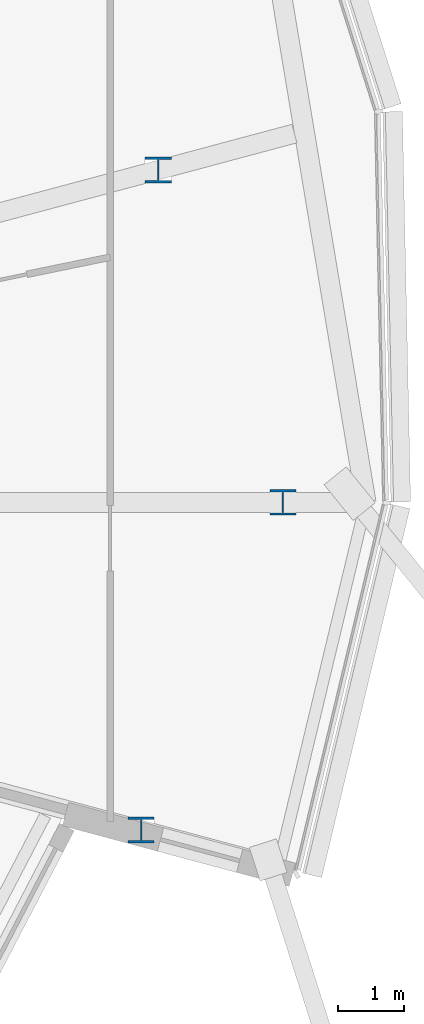
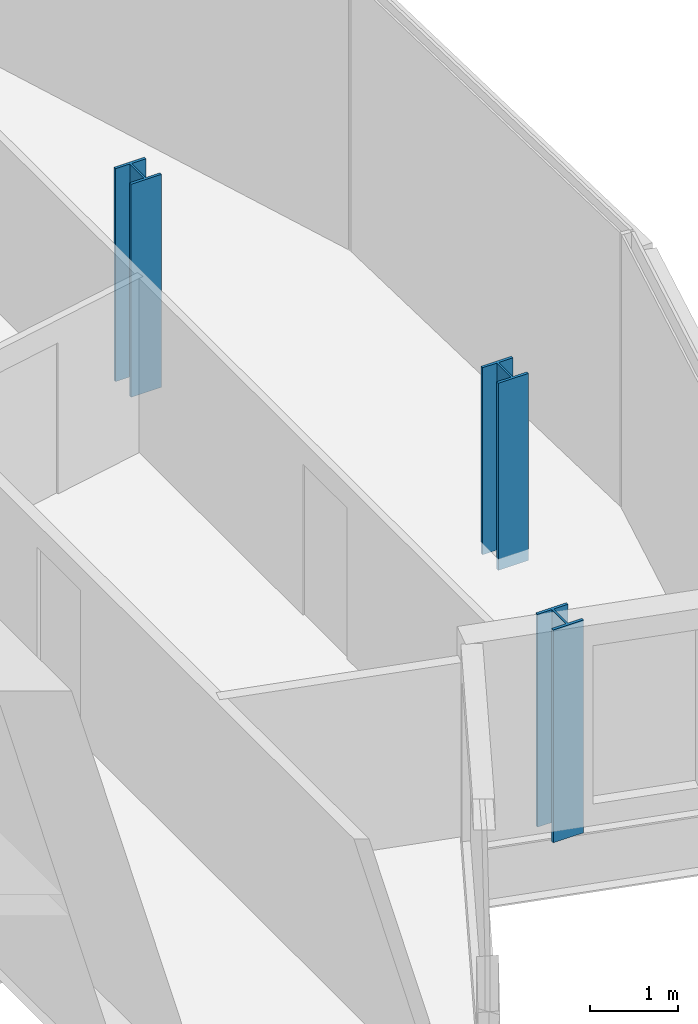
# One storey, part 2 of 40: 3 columns.
"""IFC4 building model written with IfcOpenShell, lengths in metres."""

from ifc_helpers import new_model, si_unit, direction, frame, origin, origin_2d, place, context, subcontext, project, spatial, i_section, extrude, material, material_profile, profile_set, type_object, element, save


model = new_model("IFC4")

# Units and contexts
model_context = context("Model", 3, precision=1e-05, world=origin(), true_north=direction((0.0, 1.0)))
body_context = subcontext(model_context, "Body", "Model", "MODEL_VIEW")
ifc_project = project(units=[si_unit("LENGTHUNIT", "METRE"), si_unit("AREAUNIT", "SQUARE_METRE"), si_unit("VOLUMEUNIT", "CUBIC_METRE"), si_unit("PLANEANGLEUNIT", "RADIAN"), si_unit("MASSUNIT", "GRAM", prefix="KILO")], contexts=[model_context])

# Site, building, storey
site_placement = place(None, origin())
site = spatial("IfcSite", under=ifc_project, at=site_placement, CompositionType="ELEMENT")
building_placement = place(site_placement, origin())
building = spatial("IfcBuilding", under=site, at=building_placement, Name="Rimbun Link Towers", CompositionType="ELEMENT")
storey_placement = place(building_placement, frame((0.0, 0.0, 89.199951171875)))
storey = spatial("IfcBuildingStorey", under=building, at=storey_placement, Name="L21", CompositionType="ELEMENT", Elevation=89.199951171875)

# Columns
ifc_material = material(Name="Steel S355J2", Category="steel")
ifc_material_profile = material_profile(ifc_material, i_section(OverallWidth=0.39892578125, OverallDepth=0.3935546875, WebThickness=0.022705078125, FlangeThickness=0.03662109375, at=origin_2d()), Name="UC 356x406x287")
ifc_profile_set = profile_set([ifc_material_profile], Name="Steel S355J2")
column_type = type_object("IfcColumnType", Name="UC 356x406x287", PredefinedType="COLUMN", material=ifc_profile_set)
column_1_placement = place(storey_placement, frame((50.392822265625, -4.995361328125, -0.159912109375), z_axis=(0.0, 0.0, 1.0), x_axis=(1.0, 0.0, 0.0)))
element("IfcColumn", 1, at=column_1_placement, inside=storey, type_object=column_type, Name="Crease post T2 L21 20", PredefinedType="COLUMN", context=body_context, shape_type="SweptSolid", body=[
    extrude(i_section(OverallWidth=0.39892578125, OverallDepth=0.3935546875, WebThickness=0.022705078125, FlangeThickness=0.03662109375, at=origin_2d()), origin(), (0.0, 0.0, 1.0), 2.959228515625),
])
column_2_placement = place(storey_placement, frame((52.553955078125, 0.0, -0.159912109375), z_axis=(0.0, 0.0, 1.0), x_axis=(1.0, 0.0, 0.0)))
element("IfcColumn", 2, at=column_2_placement, inside=storey, type_object=column_type, Name="Crease post T2 L21 21", PredefinedType="COLUMN", context=body_context, shape_type="SweptSolid", body=[
    extrude(i_section(OverallWidth=0.39892578125, OverallDepth=0.3935546875, WebThickness=0.022705078125, FlangeThickness=0.03662109375, at=origin_2d()), origin(), (0.0, 0.0, 1.0), 2.599853515625),
])
column_3_placement = place(storey_placement, frame((50.653564453125, 5.065185546875, -0.159912109375), z_axis=(0.0, 0.0, 1.0), x_axis=(1.0, 0.0, 0.0)))
element("IfcColumn", 3, at=column_3_placement, inside=storey, type_object=column_type, Name="Crease post T2 L21 22", PredefinedType="COLUMN", context=body_context, shape_type="SweptSolid", body=[
    extrude(i_section(OverallWidth=0.39892578125, OverallDepth=0.3935546875, WebThickness=0.022705078125, FlangeThickness=0.03662109375, at=origin_2d()), origin(), (0.0, 0.0, 1.0), 2.959228515625),
])

save(model, "model.ifc")
